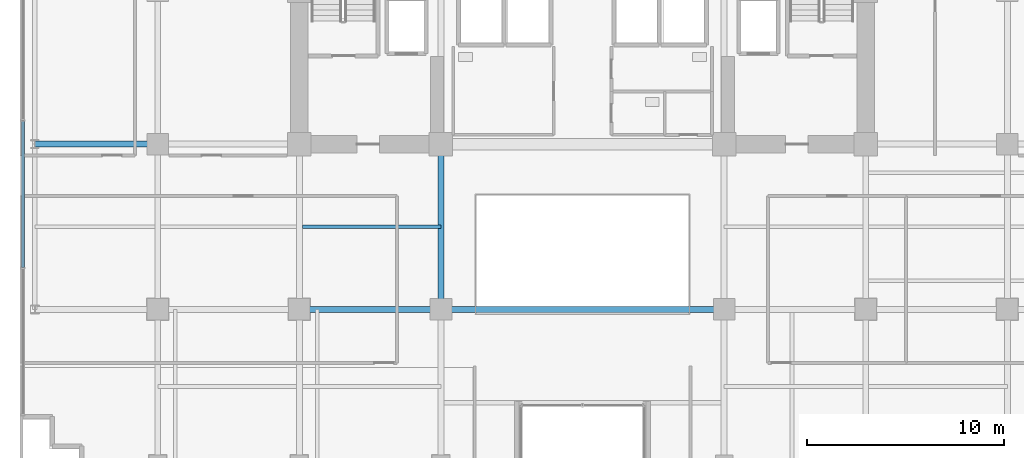
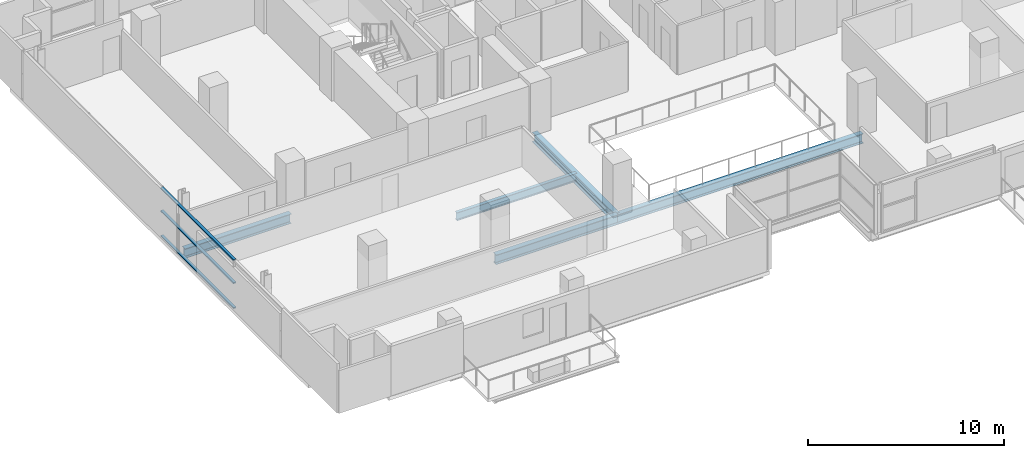
# One storey, part 7 of 28: 5 beams, 3 members, 1 element without a shape of its own.
"""IFC4 building model written with IfcOpenShell, lengths in metres."""

from ifc_helpers import new_model, si_unit, direction, frame, origin, origin_2d, place, context, subcontext, project, spatial, hollow_rectangle, i_section, extrude, source, transform, mapped, material, layer, layer_set, material_profile, profile_set, type_object, element, aggregate, save


model = new_model("IFC4")

# Units and contexts
model_context = context("Model", 3, precision=1e-05, world=origin(), true_north=direction((0.0, 1.0)))
body_context = subcontext(model_context, "Body", "Model", "MODEL_VIEW")
ifc_project = project(units=[si_unit("LENGTHUNIT", "METRE"), si_unit("AREAUNIT", "SQUARE_METRE"), si_unit("VOLUMEUNIT", "CUBIC_METRE"), si_unit("PLANEANGLEUNIT", "RADIAN"), si_unit("MASSUNIT", "GRAM", prefix="KILO")], contexts=[model_context])

# Site, building, storey
site_placement = place(None, origin())
site = spatial("IfcSite", under=ifc_project, at=site_placement, CompositionType="ELEMENT")
building_placement = place(site_placement, origin())
building = spatial("IfcBuilding", under=site, at=building_placement, Name="Zarnakvel Exchange Tower", CompositionType="ELEMENT")
storey_placement = place(building_placement, frame((0.0, 0.0, 57.10009765625)))
storey = spatial("IfcBuildingStorey", under=building, at=storey_placement, Name="L15", CompositionType="ELEMENT", Elevation=57.10009765625)

# Beams
ifc_material_1 = material(Name="Steel S355", Category="steel")
ifc_material_profile_1 = material_profile(ifc_material_1, i_section(OverallWidth=0.199951171875, OverallDepth=0.5, WebThickness=0.01025390625, FlangeThickness=0.01611328125, FilletRadius=0.02099609375, at=origin_2d()))
ifc_profile_set_1 = profile_set([ifc_material_profile_1], Name="Steel S355")
beam_type_1 = type_object("IfcBeamType", Name="B-04", PredefinedType="JOIST", material=ifc_profile_set_1)
beam_1_placement = place(storey_placement, frame((-14.25, -5.39990234375, -0.47509765625), z_axis=(1.0, 0.0, 0.0), x_axis=(0.0, 1.0, 0.0)))
element("IfcBeam", 1, at=beam_1_placement, inside=storey, type_object=beam_type_1, Name="L15 Composite Floor Secondary Joist", PredefinedType="JOIST", context=body_context, shape_type="SweptSolid", body=[
    extrude(i_section(OverallWidth=0.199951171875, OverallDepth=0.5, WebThickness=0.01025390625, FlangeThickness=0.01611328125, FilletRadius=0.02099609375, at=origin_2d()), origin(), (0.0, 0.0, 1.0), 7.050048828125),
])
ifc_material_profile_2 = material_profile(ifc_material_1, i_section(OverallWidth=0.300048828125, OverallDepth=0.60009765625, WebThickness=0.015380859375, FlangeThickness=0.030029296875, FilletRadius=0.027099609375, at=origin_2d()))
ifc_profile_set_2 = profile_set([ifc_material_profile_2], Name="Steel S355")
beam_type_2 = type_object("IfcBeamType", Name="G-04", PredefinedType="BEAM", material=ifc_profile_set_2)
beam_2_placement = place(storey_placement, frame((-14.39990234375, -9.60009765625, -0.525146484375), z_axis=(1.0, 0.0, 0.0), x_axis=(0.0, 1.0, 0.0)))
element("IfcBeam", 2, at=beam_2_placement, inside=storey, type_object=beam_type_2, Name="L15 Tower E-W Frame Beam", PredefinedType="BEAM", context=body_context, shape_type="SweptSolid", body=[
    extrude(i_section(OverallWidth=0.300048828125, OverallDepth=0.60009765625, WebThickness=0.015380859375, FlangeThickness=0.030029296875, FilletRadius=0.027099609375, at=origin_2d()), origin(), (0.0, 0.0, 1.0), 7.199951171875),
])
beam_3_placement = place(storey_placement, frame((-7.199951171875, -9.60009765625, -0.525146484375), z_axis=(1.0, 0.0, 0.0), x_axis=(0.0, 1.0, 0.0)))
element("IfcBeam", 3, at=beam_3_placement, inside=storey, type_object=beam_type_2, Name="L15 Tower E-W Frame Beam", PredefinedType="BEAM", context=body_context, shape_type="SweptSolid", body=[
    extrude(i_section(OverallWidth=0.300048828125, OverallDepth=0.60009765625, WebThickness=0.015380859375, FlangeThickness=0.030029296875, FilletRadius=0.027099609375, at=origin_2d()), origin(), (0.0, 0.0, 1.0), 14.39990234375),
])
beam_4_placement = place(storey_placement, frame((-27.85009765625, -1.199951171875, -0.525146484375), z_axis=(1.0, 0.0, 0.0), x_axis=(0.0, 1.0, 0.0)))
element("IfcBeam", 4, at=beam_4_placement, inside=storey, type_object=beam_type_2, Name="L15 Tower E-W Frame Beam", PredefinedType="BEAM", context=body_context, shape_type="SweptSolid", body=[
    extrude(i_section(OverallWidth=0.300048828125, OverallDepth=0.60009765625, WebThickness=0.015380859375, FlangeThickness=0.030029296875, FilletRadius=0.027099609375, at=origin_2d()), origin(), (0.0, 0.0, 1.0), 6.25),
])
beam_5_placement = place(storey_placement, frame((-7.199951171875, -9.60009765625, -0.525146484375), z_axis=(0.0, 1.0, 0.0), x_axis=(-1.0, 0.0, 0.0)))
element("IfcBeam", 5, at=beam_5_placement, inside=storey, type_object=beam_type_2, Name="L15 Tower N-S Frame Beam", PredefinedType="BEAM", context=body_context, shape_type="SweptSolid", body=[
    extrude(i_section(OverallWidth=0.300048828125, OverallDepth=0.60009765625, WebThickness=0.015380859375, FlangeThickness=0.030029296875, FilletRadius=0.027099609375, at=origin_2d()), origin(), (0.0, 0.0, 1.0), 8.400146484375),
])

# Curtain wall, members
ifc_material_2 = material(Name="Architectural Bronze Anodised Aluminium", Category="aluminium")
ifc_layer = layer(ifc_material_2, 0.199951171875)
ifc_layer_set = layer_set([ifc_layer], Name="Architectural Bronze Anodised Aluminium")
curtain_wall_type = type_object("IfcCurtainWallType", Name="CW-04", PredefinedType="NOTDEFINED", material=ifc_layer_set)
curtain_wall_placement = place(storey_placement, origin())
curtain_wall = element("IfcCurtainWall", 6, at=curtain_wall_placement, inside=storey, type_object=curtain_wall_type, Name="L15 Curtain Wall CW-L15-W1 (CW-04)", PredefinedType="NOTDEFINED")
ifc_material_profile_3 = material_profile(ifc_material_2, hollow_rectangle(XDim=0.159912109375, YDim=0.074951171875, WallThickness=0.00390625, at=origin_2d()))
ifc_profile_set_3 = profile_set([ifc_material_profile_3], Name="Architectural Bronze Anodised Aluminium")
member_type = type_object("IfcMemberType", Name="CWT-04", PredefinedType="USERDEFINED", material=ifc_profile_set_3)
shared_shape = source(origin(), body_context, "Body", "SweptSolid", [
    extrude(hollow_rectangle(XDim=0.159912109375, YDim=0.074951171875, WallThickness=0.00390625, at=origin_2d()), origin(), (0.0, 0.0, 1.0), 7.4248046875),
])
member_1_placement = place(storey_placement, frame((-28.4599609375, -7.46240234375, 0.037353515625), z_axis=(0.0, 1.0, 0.0), x_axis=(-1.0, 0.0, 0.0)))
member_1 = element("IfcMember", 7, at=member_1_placement, type_object=member_type, Name="CW-04 transom 2.1", ObjectType="TRANSOM", PredefinedType="USERDEFINED", context=body_context, shape_type="MappedRepresentation", body=[
    mapped(shared_shape, transform((0.0, 0.0, 0.0), x_axis=(1.0, 0.0, 0.0), y_axis=(0.0, 1.0, 0.0), z_axis=(0.0, 0.0, 1.0), scale=1.0)),
])
member_2_placement = place(storey_placement, frame((-28.4599609375, -7.46240234375, 1.588623046875), z_axis=(0.0, 1.0, 0.0), x_axis=(-1.0, 0.0, 0.0)))
member_2 = element("IfcMember", 8, at=member_2_placement, type_object=member_type, Name="CW-04 transom 2.2", ObjectType="TRANSOM", PredefinedType="USERDEFINED", context=body_context, shape_type="MappedRepresentation", body=[
    mapped(shared_shape, transform((0.0, 0.0, 0.0), x_axis=(1.0, 0.0, 0.0), y_axis=(0.0, 1.0, 0.0), z_axis=(0.0, 0.0, 1.0), scale=1.0)),
])
member_3_placement = place(storey_placement, frame((-28.4599609375, -7.46240234375, 3.017333984375), z_axis=(0.0, 1.0, 0.0), x_axis=(-1.0, 0.0, 0.0)))
member_3 = element("IfcMember", 9, at=member_3_placement, type_object=member_type, Name="CW-04 transom 2.3", ObjectType="TRANSOM", PredefinedType="USERDEFINED", context=body_context, shape_type="MappedRepresentation", body=[
    mapped(shared_shape, transform((0.0, 0.0, 0.0), x_axis=(1.0, 0.0, 0.0), y_axis=(0.0, 1.0, 0.0), z_axis=(0.0, 0.0, 1.0), scale=1.0)),
])
aggregate(curtain_wall, [member_1, member_2, member_3])

save(model, "model.ifc")
